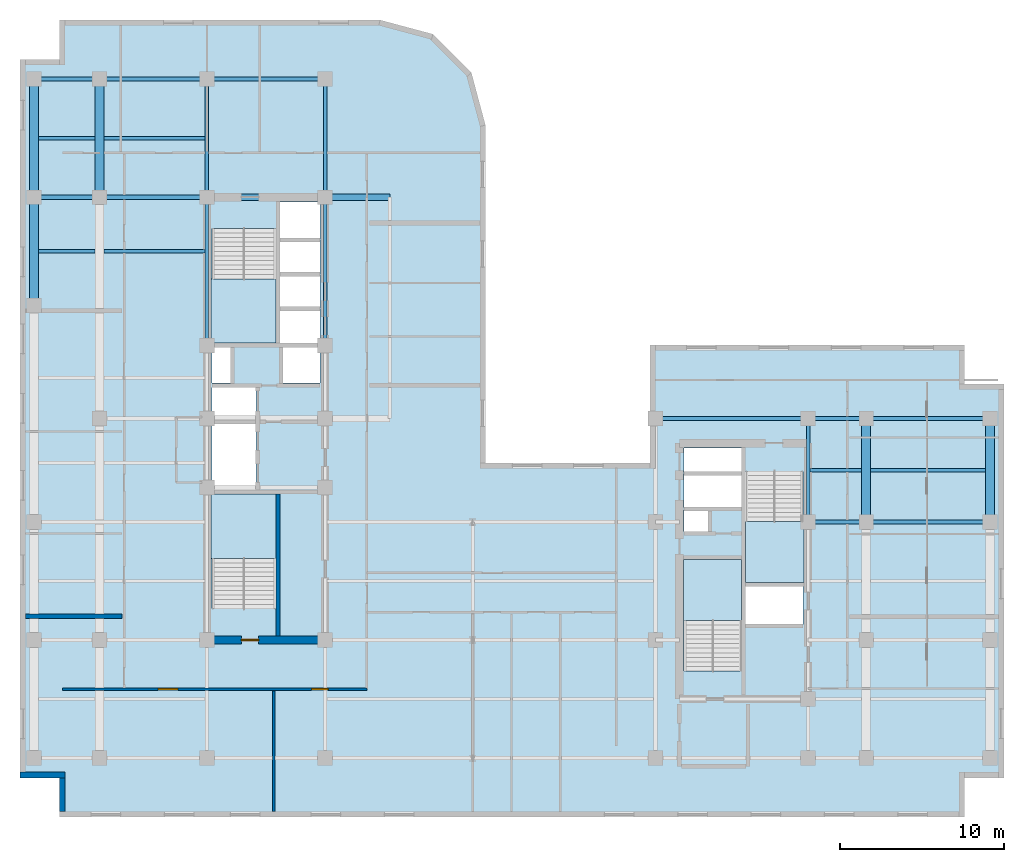
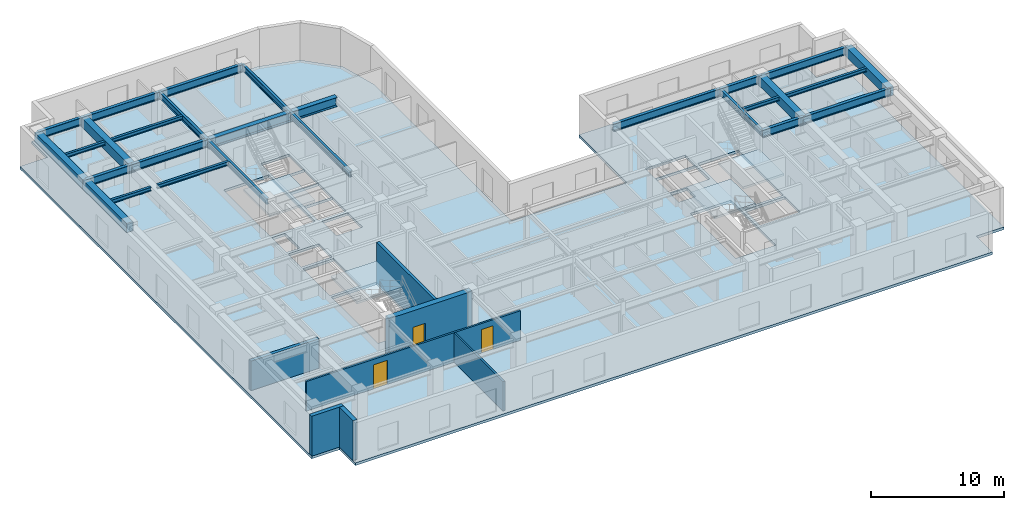
# One storey, part 3 of 11: 27 beams, 7 walls, 5 slabs, 3 doors, 3 openings, 4 elements without a shape of their own.
"""IFC4 building model written with IfcOpenShell, lengths in metres."""

import ifcopenshell
import ifcopenshell.guid

model = None  # the IFC model being written
_history = None  # IfcOwnerHistory: only IFC2X3 demands one
_inside = {}  # id of a spatial element -> (the spatial element, [elements in it])
_under = {}  # id of a project, library or spatial element -> (it, [spatial elements below it])
_declared = {}  # id of a project -> (the project, [libraries it declares])
_typed = {}  # id of a type object -> (the type object, [elements of that type])
_made_of = {}  # id of a material, layer set ... -> (it, [elements and type objects made of it])


def new_model(schema):
    """Start an empty IFC model of exactly this schema.

    Asked for "IFC4X3", IfcOpenShell would pick the latest addendum, in which some entities
    have other attributes; the version numbers below select the first issue.
    IFC2X3 requires an IfcOwnerHistory on every rooted entity: one is made here for all.
    """
    global model, _history
    if schema == "IFC4X3":
        model = ifcopenshell.file(schema_version=(4, 3, 0, 0))
    else:
        model = ifcopenshell.file(schema=schema)
    _inside.clear()
    _under.clear()
    _declared.clear()
    _typed.clear()
    _made_of.clear()
    _history = None
    if model.schema == "IFC2X3":
        org = make("IfcOrganization", Name="unknown")
        user = make(
            "IfcPersonAndOrganization",
            ThePerson=make("IfcPerson", FamilyName="unknown"),
            TheOrganization=org,
        )
        app = make(
            "IfcApplication",
            ApplicationDeveloper=org,
            Version="unknown",
            ApplicationFullName="unknown",
            ApplicationIdentifier="unknown",
        )
        _history = make(
            "IfcOwnerHistory",
            OwningUser=user,
            OwningApplication=app,
            ChangeAction="ADDED",
            CreationDate=0,
        )
    return model


def make(cls, **values):
    """One entity of the class cls with the attributes given. An attribute that is None is left unset."""
    return model.create_entity(
        cls, **{name: value for name, value in values.items() if value is not None}
    )


def entity(cls, *values):
    """Any entity or typed value of the class cls, its attributes in the order of the schema. None: left unset."""
    e = model.create_entity(cls)
    for i, value in enumerate(values):
        if value is not None:
            e[i] = value
    return e


def rooted(cls, **values):
    """An entity with a GlobalId (a new one), such as an element, a storey or a relation."""
    return make(cls, GlobalId=ifcopenshell.guid.new(), OwnerHistory=_history, **values)


def si_unit(unit_type, name, prefix=None):
    """IfcSIUnit, for example si_unit("LENGTHUNIT", "METRE", prefix="MILLI")."""
    return make("IfcSIUnit", UnitType=unit_type, Prefix=prefix, Name=name)


def converted_unit(unit_type, name, factor, base, dimensions=None, offset=None):
    """IfcConversionBasedUnit, such as the inch: factor (a typed value) times the base unit."""
    return make(
        "IfcConversionBasedUnit"
        if offset is None
        else "IfcConversionBasedUnitWithOffset",
        ConversionOffset=offset,
        Dimensions=None
        if dimensions is None
        else entity("IfcDimensionalExponents", *dimensions),
        UnitType=unit_type,
        Name=name,
        ConversionFactor=make(
            "IfcMeasureWithUnit", ValueComponent=factor, UnitComponent=base
        ),
    )


def assignment(units):
    """IfcUnitAssignment: the units of a project."""
    return None if units is None else make("IfcUnitAssignment", Units=units)


def point(xyz):
    """IfcCartesianPoint."""
    return None if xyz is None else make("IfcCartesianPoint", Coordinates=xyz)


def direction(xyz):
    """IfcDirection."""
    return None if xyz is None else make("IfcDirection", DirectionRatios=xyz)


def frame(location, z_axis=None, x_axis=None):
    """IfcAxis2Placement3D, a coordinate frame: its origin and axes. An axis left out is left unset."""
    return make(
        "IfcAxis2Placement3D",
        Location=point(location),
        Axis=direction(z_axis),
        RefDirection=direction(x_axis),
    )


def frame_2d(location, x_axis=None):
    """IfcAxis2Placement2D, a coordinate frame in the plane: its origin and x axis."""
    return make(
        "IfcAxis2Placement2D", Location=point(location), RefDirection=direction(x_axis)
    )


def origin_with_axes():
    """The frame at (0, 0, 0) with the z axis (0, 0, 1) and the x axis (1, 0, 0) written out."""
    return frame((0.0, 0.0, 0.0), z_axis=(0.0, 0.0, 1.0), x_axis=(1.0, 0.0, 0.0))


def origin_2d_with_axis():
    """The frame at (0, 0) in the plane with the x axis (1, 0) written out."""
    return frame_2d((0.0, 0.0), x_axis=(1.0, 0.0))


def place(relative_to, where):
    """IfcLocalPlacement: puts the frame where relative to a parent placement (None: the world)."""
    return make(
        "IfcLocalPlacement", PlacementRelTo=relative_to, RelativePlacement=where
    )


def context(
    kind, dimensions, precision=None, world=None, true_north=None, identifier=None
):
    """IfcGeometricRepresentationContext, for example the 3D "Model" context."""
    return make(
        "IfcGeometricRepresentationContext",
        ContextIdentifier=identifier,
        ContextType=kind,
        CoordinateSpaceDimension=dimensions,
        Precision=precision,
        WorldCoordinateSystem=world,
        TrueNorth=true_north,
    )


def subcontext(parent, identifier, kind, view, scale=None):
    """IfcGeometricRepresentationSubContext, for example "Body" below "Model"."""
    return make(
        "IfcGeometricRepresentationSubContext",
        ContextIdentifier=identifier,
        ContextType=kind,
        ParentContext=parent,
        TargetScale=scale,
        TargetView=view,
    )


def project(units=None, contexts=None):
    """IfcProject with its units and contexts."""
    return rooted(
        "IfcProject",
        Name="project",
        RepresentationContexts=contexts,
        UnitsInContext=assignment(units),
    )


def spatial(cls, under=None, at=None, **own):
    """A site, building, storey or space (cls), placed at a placement, below another one or the project."""
    s = rooted(cls, ObjectPlacement=at, **own)
    if under is not None:
        _under.setdefault(under.id(), (under, []))[1].append(s)
    return s


def polyline(points):
    """IfcPolyline through the points."""
    return make("IfcPolyline", Points=[point(p) for p in points])


def profile(cls, at=None, kind="AREA", **sizes):
    """A parametric profile (cls). Its sizes go by their IFC names, for example OverallWidth=200.0."""
    return make(cls, ProfileType=kind, Position=at, **sizes)


def rectangle(**sizes):
    """IfcRectangleProfileDef."""
    return profile("IfcRectangleProfileDef", **sizes)


def i_section(**sizes):
    """IfcIShapeProfileDef."""
    return profile("IfcIShapeProfileDef", **sizes)


def outline(outer, holes=None, kind="AREA"):
    """IfcArbitraryClosedProfileDef: a profile drawn as a closed curve; with holes, ...WithVoids."""
    if holes is None:
        return make("IfcArbitraryClosedProfileDef", ProfileType=kind, OuterCurve=outer)
    return make(
        "IfcArbitraryProfileDefWithVoids",
        ProfileType=kind,
        OuterCurve=outer,
        InnerCurves=holes,
    )


def extrude(swept, where, along, depth):
    """IfcExtrudedAreaSolid: the profile swept, set in the frame where, extruded along a direction by depth."""
    return make(
        "IfcExtrudedAreaSolid",
        SweptArea=swept,
        Position=where,
        ExtrudedDirection=direction(along),
        Depth=depth,
    )


def shape(context_of_items, identifier, shape_type, items):
    """IfcShapeRepresentation: the items that make up one representation, for example the "Body"."""
    return make(
        "IfcShapeRepresentation",
        ContextOfItems=context_of_items,
        RepresentationIdentifier=identifier,
        RepresentationType=shape_type,
        Items=items,
    )


def material(Name=None, Category=None):
    """IfcMaterial."""
    return make("IfcMaterial", Name=Name, Category=Category)


def layer(
    of_material, thickness, ventilated=None, Name=None, Category=None, Priority=None
):
    """IfcMaterialLayer: one layer of a wall or slab, of a material (None: an air gap)."""
    return make(
        "IfcMaterialLayer",
        Material=of_material,
        LayerThickness=thickness,
        IsVentilated=ventilated,
        Name=Name,
        Category=Category,
        Priority=Priority,
    )


def layer_set(layers, Name=None):
    """IfcMaterialLayerSet."""
    return make("IfcMaterialLayerSet", MaterialLayers=layers, LayerSetName=Name)


def material_profile(
    of_material, cross_section, Name=None, Category=None, Priority=None
):
    """IfcMaterialProfile: a cross section and its material."""
    return make(
        "IfcMaterialProfile",
        Name=Name,
        Material=of_material,
        Profile=cross_section,
        Priority=Priority,
        Category=Category,
    )


def profile_set(profiles, Name=None, composite=None):
    """IfcMaterialProfileSet."""
    return make(
        "IfcMaterialProfileSet",
        Name=Name,
        MaterialProfiles=profiles,
        CompositeProfile=composite,
    )


def made_of(thing, what):
    """Note that an element or type object is made of a material, layer set ...; save() writes the relation."""
    if what is not None:
        _made_of.setdefault(what.id(), (what, []))[1].append(thing)
    return thing


def type_object(cls, material=None, **own):
    """A type object (cls), such as IfcWallType, which elements share."""
    return made_of(rooted(cls, **own), material)


def element(
    cls,
    number,
    at=None,
    inside=None,
    cuts=None,
    type_object=None,
    material=None,
    context=None,
    identifier="Body",
    shape_type=None,
    held_by="IfcProductDefinitionShape",
    body=None,
    shapes=None,
    **own,
):
    """One element of the class cls, such as IfcWall. Its Tag is "e" and its number.

    at: its placement. inside: the storey or other place that contains it. cuts: it is an
    opening in that element (IfcRelVoidsElement). A single representation is given by context,
    identifier, shape_type and body (its items); several are given by shapes. held_by: the class
    of the entity that holds the representations. save() writes the other relations.
    """
    e = rooted(cls, Tag="e%d" % number, ObjectPlacement=at, **own)
    if body is not None:
        shapes = [shape(context, identifier, shape_type, body)]
    if shapes is not None:
        e.Representation = make(held_by, Representations=shapes)
    if inside is not None:
        _inside.setdefault(inside.id(), (inside, []))[1].append(e)
    if cuts is not None:
        rooted(
            "IfcRelVoidsElement", RelatingBuildingElement=cuts, RelatedOpeningElement=e
        )
    if type_object is not None:
        _typed.setdefault(type_object.id(), (type_object, []))[1].append(e)
    return made_of(e, material)


def fill(opening, filler):
    """IfcRelFillsElement: the door or window that sits in an opening."""
    return rooted(
        "IfcRelFillsElement",
        RelatingOpeningElement=opening,
        RelatedBuildingElement=filler,
    )


def aggregate(whole, parts):
    """IfcRelAggregates: a whole, such as a stair, and the parts it consists of."""
    return rooted("IfcRelAggregates", RelatingObject=whole, RelatedObjects=parts)


def save(model, path):
    """Write the relations noted so far, then the file.

    IfcRelAggregates (storeys below a building ...), IfcRelContainedInSpatialStructure (elements
    in a storey), IfcRelDefinesByType, IfcRelAssociatesMaterial and IfcRelDeclares: one each for
    every whole, place, type object, material and project.
    """
    for whole, parts in _under.values():
        aggregate(whole, parts)
    for where, things in _inside.values():
        rooted(
            "IfcRelContainedInSpatialStructure",
            RelatedElements=things,
            RelatingStructure=where,
        )
    for kind, things in _typed.values():
        rooted("IfcRelDefinesByType", RelatedObjects=things, RelatingType=kind)
    for what, things in _made_of.values():
        rooted("IfcRelAssociatesMaterial", RelatedObjects=things, RelatingMaterial=what)
    for by, libraries in _declared.values():
        rooted("IfcRelDeclares", RelatingContext=by, RelatedDefinitions=libraries)
    model.write(path)


model = new_model("IFC4")

# Units and contexts
model_context = context("Model", 3, precision=1e-05, world=origin_with_axes(), true_north=direction((0.0, 1.0)))
body_context = subcontext(model_context, "Body", "Model", "MODEL_VIEW")
ifc_project = project(units=[si_unit("LENGTHUNIT", "METRE"), si_unit("AREAUNIT", "SQUARE_METRE"), si_unit("VOLUMEUNIT", "CUBIC_METRE"), converted_unit("PLANEANGLEUNIT", "DEGREE", entity("IfcPlaneAngleMeasure", 0.017453292519943295), si_unit("PLANEANGLEUNIT", "RADIAN"), dimensions=[0, 0, 0, 0, 0, 0, 0]), si_unit("MASSUNIT", "GRAM", prefix="KILO"), si_unit("THERMODYNAMICTEMPERATUREUNIT", "KELVIN")], contexts=[model_context])

# Site, building, storey
site_placement = place(None, origin_with_axes())
site = spatial("IfcSite", under=ifc_project, at=site_placement, CompositionType="ELEMENT")
building_placement = place(site_placement, origin_with_axes())
building = spatial("IfcBuilding", under=site, at=building_placement, Name="Varnlund Millrace Tower", CompositionType="ELEMENT")
storey_placement = place(building_placement, frame((0.0, 0.0, 196.5), z_axis=(0.0, 0.0, 1.0), x_axis=(1.0, 0.0, 0.0)))
storey = spatial("IfcBuildingStorey", under=building, at=storey_placement, Name="L48", CompositionType="ELEMENT", Elevation=196.5)

# Beams
ifc_material_1 = material(Name="Steel ASTM A992 Grade 50", Category="steel")
ifc_material_profile_1 = material_profile(ifc_material_1, i_section(OverallWidth=0.214, OverallDepth=0.549, WebThickness=0.0147, FlangeThickness=0.0236, FilletRadius=0.015, at=origin_2d_with_axis()), Name="Steel ASTM A992 Grade 50")
ifc_profile_set_1 = profile_set([ifc_material_profile_1], Name="Steel ASTM A992 Grade 50")
beam_type_1 = type_object("IfcBeamType", Name="Type-Beam-W21X93", PredefinedType="BEAM", material=ifc_profile_set_1)
beam_1_placement = place(storey_placement, frame((11.4, 28.75, 3.3855), z_axis=(0.0, 1.0, 0.0), x_axis=(-1.0, 0.0, 0.0)))
element("IfcBeam", 1, at=beam_1_placement, inside=storey, type_object=beam_type_1, Name="Type-Beam-W21X93", PredefinedType="BEAM", context=body_context, shape_type="SweptSolid", body=[
    extrude(i_section(OverallWidth=0.214, OverallDepth=0.549, WebThickness=0.0147, FlangeThickness=0.0236, FilletRadius=0.015, at=origin_2d_with_axis()), origin_with_axes(), (0.0, 0.0, 1.0), 9.05),
])
beam_2_placement = place(storey_placement, frame((11.4, 37.8, 3.3855), z_axis=(0.0, 1.0, 0.0), x_axis=(-1.0, 0.0, 0.0)))
element("IfcBeam", 2, at=beam_2_placement, inside=storey, type_object=beam_type_1, Name="Type-Beam-W21X93", PredefinedType="BEAM", context=body_context, shape_type="SweptSolid", body=[
    extrude(i_section(OverallWidth=0.214, OverallDepth=0.549, WebThickness=0.0147, FlangeThickness=0.0236, FilletRadius=0.015, at=origin_2d_with_axis()), origin_with_axes(), (0.0, 0.0, 1.0), 7.2),
])
beam_3_placement = place(storey_placement, frame((18.6, 28.75, 3.3855), z_axis=(0.0, 1.0, 0.0), x_axis=(-1.0, 0.0, 0.0)))
element("IfcBeam", 3, at=beam_3_placement, inside=storey, type_object=beam_type_1, Name="Type-Beam-W21X93", PredefinedType="BEAM", context=body_context, shape_type="SweptSolid", body=[
    extrude(i_section(OverallWidth=0.214, OverallDepth=0.549, WebThickness=0.0147, FlangeThickness=0.0236, FilletRadius=0.015, at=origin_2d_with_axis()), origin_with_axes(), (0.0, 0.0, 1.0), 9.05),
])
beam_4_placement = place(storey_placement, frame((18.6, 37.8, 3.3855), z_axis=(0.0, 1.0, 0.0), x_axis=(-1.0, 0.0, 0.0)))
element("IfcBeam", 4, at=beam_4_placement, inside=storey, type_object=beam_type_1, Name="Type-Beam-W21X93", PredefinedType="BEAM", context=body_context, shape_type="SweptSolid", body=[
    extrude(i_section(OverallWidth=0.214, OverallDepth=0.549, WebThickness=0.0147, FlangeThickness=0.0236, FilletRadius=0.015, at=origin_2d_with_axis()), origin_with_axes(), (0.0, 0.0, 1.0), 7.2),
])
beam_5_placement = place(storey_placement, frame((48.05, 18.0, 3.3855), z_axis=(0.0, 1.0, 0.0), x_axis=(-1.0, 0.0, 0.0)))
element("IfcBeam", 5, at=beam_5_placement, inside=storey, type_object=beam_type_1, Name="Type-Beam-W21X93", PredefinedType="BEAM", context=body_context, shape_type="SweptSolid", body=[
    extrude(i_section(OverallWidth=0.214, OverallDepth=0.549, WebThickness=0.0147, FlangeThickness=0.0236, FilletRadius=0.015, at=origin_2d_with_axis()), origin_with_axes(), (0.0, 0.0, 1.0), 6.3),
])
ifc_material_profile_2 = material_profile(ifc_material_1, i_section(OverallWidth=0.256, OverallDepth=0.693, WebThickness=0.0145, FlangeThickness=0.0236, FilletRadius=0.018, at=origin_2d_with_axis()), Name="Steel ASTM A992 Grade 50")
ifc_profile_set_2 = profile_set([ifc_material_profile_2], Name="Steel ASTM A992 Grade 50")
beam_type_2 = type_object("IfcBeamType", Name="Type-Girder-W27X114", PredefinedType="USERDEFINED", material=ifc_profile_set_2)
beam_6_placement = place(storey_placement, frame((48.05, 18.0, 3.3135), z_axis=(1.0, 0.0, 0.0), x_axis=(0.0, 1.0, 0.0)))
element("IfcBeam", 6, at=beam_6_placement, inside=storey, type_object=beam_type_2, Name="Type-Girder-W27X114", ObjectType="GIRDER", PredefinedType="USERDEFINED", context=body_context, shape_type="SweptSolid", body=[
    extrude(i_section(OverallWidth=0.256, OverallDepth=0.693, WebThickness=0.0145, FlangeThickness=0.0236, FilletRadius=0.018, at=origin_2d_with_axis()), origin_with_axes(), (0.0, 0.0, 1.0), 3.55),
])
beam_7_placement = place(storey_placement, frame((51.6, 18.0, 3.3135), z_axis=(1.0, 0.0, 0.0), x_axis=(0.0, 1.0, 0.0)))
element("IfcBeam", 7, at=beam_7_placement, inside=storey, type_object=beam_type_2, Name="Type-Girder-W27X114", ObjectType="GIRDER", PredefinedType="USERDEFINED", context=body_context, shape_type="SweptSolid", body=[
    extrude(i_section(OverallWidth=0.256, OverallDepth=0.693, WebThickness=0.0145, FlangeThickness=0.0236, FilletRadius=0.018, at=origin_2d_with_axis()), origin_with_axes(), (0.0, 0.0, 1.0), 7.55),
])
beam_8_placement = place(storey_placement, frame((38.75, 24.3, 3.3135), z_axis=(1.0, 0.0, 0.0), x_axis=(0.0, 1.0, 0.0)))
element("IfcBeam", 8, at=beam_8_placement, inside=storey, type_object=beam_type_2, Name="Type-Girder-W27X114", ObjectType="GIRDER", PredefinedType="USERDEFINED", context=body_context, shape_type="SweptSolid", body=[
    extrude(i_section(OverallWidth=0.256, OverallDepth=0.693, WebThickness=0.0145, FlangeThickness=0.0236, FilletRadius=0.018, at=origin_2d_with_axis()), origin_with_axes(), (0.0, 0.0, 1.0), 9.3),
])
beam_9_placement = place(storey_placement, frame((48.05, 24.3, 3.3135), z_axis=(1.0, 0.0, 0.0), x_axis=(0.0, 1.0, 0.0)))
element("IfcBeam", 9, at=beam_9_placement, inside=storey, type_object=beam_type_2, Name="Type-Girder-W27X114", ObjectType="GIRDER", PredefinedType="USERDEFINED", context=body_context, shape_type="SweptSolid", body=[
    extrude(i_section(OverallWidth=0.256, OverallDepth=0.693, WebThickness=0.0145, FlangeThickness=0.0236, FilletRadius=0.018, at=origin_2d_with_axis()), origin_with_axes(), (0.0, 0.0, 1.0), 3.55),
])
beam_10_placement = place(storey_placement, frame((51.6, 24.3, 3.3135), z_axis=(1.0, 0.0, 0.0), x_axis=(0.0, 1.0, 0.0)))
element("IfcBeam", 10, at=beam_10_placement, inside=storey, type_object=beam_type_2, Name="Type-Girder-W27X114", ObjectType="GIRDER", PredefinedType="USERDEFINED", context=body_context, shape_type="SweptSolid", body=[
    extrude(i_section(OverallWidth=0.256, OverallDepth=0.693, WebThickness=0.0145, FlangeThickness=0.0236, FilletRadius=0.018, at=origin_2d_with_axis()), origin_with_axes(), (0.0, 0.0, 1.0), 7.55),
])
beam_11_placement = place(storey_placement, frame((0.85, 37.8, 3.3135), z_axis=(1.0, 0.0, 0.0), x_axis=(0.0, 1.0, 0.0)))
element("IfcBeam", 11, at=beam_11_placement, inside=storey, type_object=beam_type_2, Name="Type-Girder-W27X114", ObjectType="GIRDER", PredefinedType="USERDEFINED", context=body_context, shape_type="SweptSolid", body=[
    extrude(i_section(OverallWidth=0.256, OverallDepth=0.693, WebThickness=0.0145, FlangeThickness=0.0236, FilletRadius=0.018, at=origin_2d_with_axis()), origin_with_axes(), (0.0, 0.0, 1.0), 4.0),
])
beam_12_placement = place(storey_placement, frame((4.85, 37.8, 3.3135), z_axis=(1.0, 0.0, 0.0), x_axis=(0.0, 1.0, 0.0)))
element("IfcBeam", 12, at=beam_12_placement, inside=storey, type_object=beam_type_2, Name="Type-Girder-W27X114", ObjectType="GIRDER", PredefinedType="USERDEFINED", context=body_context, shape_type="SweptSolid", body=[
    extrude(i_section(OverallWidth=0.256, OverallDepth=0.693, WebThickness=0.0145, FlangeThickness=0.0236, FilletRadius=0.018, at=origin_2d_with_axis()), origin_with_axes(), (0.0, 0.0, 1.0), 6.55),
])
beam_13_placement = place(storey_placement, frame((0.85, 45.0, 3.3135), z_axis=(1.0, 0.0, 0.0), x_axis=(0.0, 1.0, 0.0)))
element("IfcBeam", 13, at=beam_13_placement, inside=storey, type_object=beam_type_2, Name="Type-Girder-W27X114", ObjectType="GIRDER", PredefinedType="USERDEFINED", context=body_context, shape_type="SweptSolid", body=[
    extrude(i_section(OverallWidth=0.256, OverallDepth=0.693, WebThickness=0.0145, FlangeThickness=0.0236, FilletRadius=0.018, at=origin_2d_with_axis()), origin_with_axes(), (0.0, 0.0, 1.0), 4.0),
])
beam_14_placement = place(storey_placement, frame((4.85, 45.0, 3.3135), z_axis=(1.0, 0.0, 0.0), x_axis=(0.0, 1.0, 0.0)))
element("IfcBeam", 14, at=beam_14_placement, inside=storey, type_object=beam_type_2, Name="Type-Girder-W27X114", ObjectType="GIRDER", PredefinedType="USERDEFINED", context=body_context, shape_type="SweptSolid", body=[
    extrude(i_section(OverallWidth=0.256, OverallDepth=0.693, WebThickness=0.0145, FlangeThickness=0.0236, FilletRadius=0.018, at=origin_2d_with_axis()), origin_with_axes(), (0.0, 0.0, 1.0), 6.55),
])
beam_15_placement = place(storey_placement, frame((11.4, 45.0, 3.3135), z_axis=(1.0, 0.0, 0.0), x_axis=(0.0, 1.0, 0.0)))
element("IfcBeam", 15, at=beam_15_placement, inside=storey, type_object=beam_type_2, Name="Type-Girder-W27X114", ObjectType="GIRDER", PredefinedType="USERDEFINED", context=body_context, shape_type="SweptSolid", body=[
    extrude(i_section(OverallWidth=0.256, OverallDepth=0.693, WebThickness=0.0145, FlangeThickness=0.0236, FilletRadius=0.018, at=origin_2d_with_axis()), origin_with_axes(), (0.0, 0.0, 1.0), 7.2),
])
ifc_material_profile_3 = material_profile(ifc_material_1, i_section(OverallWidth=0.399, OverallDepth=0.855, WebThickness=0.0182, FlangeThickness=0.0292, FilletRadius=0.022, at=origin_2d_with_axis()), Name="Steel ASTM A992 Grade 50")
ifc_profile_set_3 = profile_set([ifc_material_profile_3], Name="Steel ASTM A992 Grade 50")
beam_type_3 = type_object("IfcBeamType", Name="Type-Girder-W33X201", PredefinedType="USERDEFINED", material=ifc_profile_set_3)
beam_16_placement = place(storey_placement, frame((11.4, 37.8, 3.2325), z_axis=(1.0, 0.0, 0.0), x_axis=(0.0, 1.0, 0.0)))
element("IfcBeam", 16, at=beam_16_placement, inside=storey, type_object=beam_type_3, Name="Type-Girder-W33X201", ObjectType="GIRDER", PredefinedType="USERDEFINED", context=body_context, shape_type="SweptSolid", body=[
    extrude(i_section(OverallWidth=0.399, OverallDepth=0.855, WebThickness=0.0182, FlangeThickness=0.0292, FilletRadius=0.022, at=origin_2d_with_axis()), origin_with_axes(), (0.0, 0.0, 1.0), 11.15),
])
ifc_material_profile_4 = material_profile(ifc_material_1, i_section(OverallWidth=0.204, OverallDepth=0.35, WebThickness=0.0086, FlangeThickness=0.0151, FilletRadius=0.013, at=origin_2d_with_axis()), Name="Steel ASTM A992 Grade 50")
ifc_profile_set_4 = profile_set([ifc_material_profile_4], Name="Steel ASTM A992 Grade 50")
beam_type_4 = type_object("IfcBeamType", Name="Type-Joist-W14X48", PredefinedType="JOIST", material=ifc_profile_set_4)
for number, where, z_axis, x_axis, name in (
    (17, (1.125, 34.5, 3.485), (1.0, 0.0, 0.0), (0.0, 1.0, 0.0), "Type-Joist-W14X48"),
    (18, (1.125, 41.4, 3.485), (1.0, 0.0, 0.0), (0.0, 1.0, 0.0), "Type-Joist-W14X48"),
):
    element("IfcBeam", number, at=place(storey_placement, frame(where, z_axis=z_axis, x_axis=x_axis)), inside=storey, type_object=beam_type_4, Name=name, PredefinedType="JOIST", context=body_context, shape_type="SweptSolid", body=[
        extrude(i_section(OverallWidth=0.204, OverallDepth=0.35, WebThickness=0.0086, FlangeThickness=0.0151, FilletRadius=0.013, at=origin_2d_with_axis()), origin_with_axes(), (0.0, 0.0, 1.0), 3.45),
    ])
for number, where, z_axis, x_axis, name in (
    (19, (5.125, 34.5, 3.485), (1.0, 0.0, 0.0), (0.0, 1.0, 0.0), "Type-Joist-W14X48"),
    (20, (5.125, 41.4, 3.485), (1.0, 0.0, 0.0), (0.0, 1.0, 0.0), "Type-Joist-W14X48"),
):
    element("IfcBeam", number, at=place(storey_placement, frame(where, z_axis=z_axis, x_axis=x_axis)), inside=storey, type_object=beam_type_4, Name=name, PredefinedType="JOIST", context=body_context, shape_type="SweptSolid", body=[
        extrude(i_section(OverallWidth=0.204, OverallDepth=0.35, WebThickness=0.0086, FlangeThickness=0.0151, FilletRadius=0.013, at=origin_2d_with_axis()), origin_with_axes(), (0.0, 0.0, 1.0), 6.168),
    ])
beam_17_placement = place(storey_placement, frame((48.157, 21.15, 3.485), z_axis=(1.0, 0.0, 0.0), x_axis=(0.0, 1.0, 0.0)))
element("IfcBeam", 21, at=beam_17_placement, inside=storey, type_object=beam_type_4, Name="Type-Joist-W14X48", PredefinedType="JOIST", context=body_context, shape_type="SweptSolid", body=[
    extrude(i_section(OverallWidth=0.204, OverallDepth=0.35, WebThickness=0.0086, FlangeThickness=0.0151, FilletRadius=0.013, at=origin_2d_with_axis()), origin_with_axes(), (0.0, 0.0, 1.0), 3.168),
])
beam_18_placement = place(storey_placement, frame((51.875, 21.15, 3.485), z_axis=(1.0, 0.0, 0.0), x_axis=(0.0, 1.0, 0.0)))
element("IfcBeam", 22, at=beam_18_placement, inside=storey, type_object=beam_type_4, Name="Type-Joist-W14X48", PredefinedType="JOIST", context=body_context, shape_type="SweptSolid", body=[
    extrude(i_section(OverallWidth=0.204, OverallDepth=0.35, WebThickness=0.0086, FlangeThickness=0.0151, FilletRadius=0.013, at=origin_2d_with_axis()), origin_with_axes(), (0.0, 0.0, 1.0), 7.0),
])
ifc_material_2 = material(Name="Concrete C60/75", Category="concrete")
ifc_material_profile_5 = material_profile(ifc_material_2, rectangle(XDim=0.55, YDim=0.85, at=origin_2d_with_axis()), Name="Concrete C60/75")
ifc_profile_set_5 = profile_set([ifc_material_profile_5], Name="Concrete C60/75")
beam_type_5 = type_object("IfcBeamType", Name="Type-Spandrel-RC550X850", PredefinedType="SPANDREL", material=ifc_profile_set_5)
beam_19_placement = place(storey_placement, frame((0.85, 31.2, 3.235), z_axis=(0.0, 1.0, 0.0), x_axis=(-1.0, 0.0, 0.0)))
element("IfcBeam", 23, at=beam_19_placement, inside=storey, type_object=beam_type_5, Name="Type-Spandrel-RC550X850", PredefinedType="SPANDREL", context=body_context, shape_type="SweptSolid", body=[
    extrude(rectangle(XDim=0.55, YDim=0.85, at=origin_2d_with_axis()), origin_with_axes(), (0.0, 0.0, 1.0), 6.6),
])
for number, where, z_axis, x_axis, name in (
    (24, (0.85, 37.8, 3.235), (0.0, 1.0, 0.0), (-1.0, 0.0, 0.0), "Type-Spandrel-RC550X850"),
    (25, (4.85, 37.8, 3.235), (0.0, 1.0, 0.0), (-1.0, 0.0, 0.0), "Type-Spandrel-RC550X850"),
):
    element("IfcBeam", number, at=place(storey_placement, frame(where, z_axis=z_axis, x_axis=x_axis)), inside=storey, type_object=beam_type_5, Name=name, PredefinedType="SPANDREL", context=body_context, shape_type="SweptSolid", body=[
        extrude(rectangle(XDim=0.55, YDim=0.85, at=origin_2d_with_axis()), origin_with_axes(), (0.0, 0.0, 1.0), 7.2),
    ])
for number, where, z_axis, x_axis, name in (
    (26, (51.6, 18.0, 3.235), (0.0, 1.0, 0.0), (-1.0, 0.0, 0.0), "Type-Spandrel-RC550X850"),
    (27, (59.15, 18.0, 3.235), (0.0, 1.0, 0.0), (-1.0, 0.0, 0.0), "Type-Spandrel-RC550X850"),
):
    element("IfcBeam", number, at=place(storey_placement, frame(where, z_axis=z_axis, x_axis=x_axis)), inside=storey, type_object=beam_type_5, Name=name, PredefinedType="SPANDREL", context=body_context, shape_type="SweptSolid", body=[
        extrude(rectangle(XDim=0.55, YDim=0.85, at=origin_2d_with_axis()), origin_with_axes(), (0.0, 0.0, 1.0), 6.3),
    ])

# Slab
ifc_layer_1 = layer(ifc_material_2, 0.24, Name="Concrete C60/75")
ifc_layer_set_1 = layer_set([ifc_layer_1], Name="Concrete C60/75")
slab_type_1 = type_object("IfcSlabType", Name="Type-Deck-Plate-Typical-240", PredefinedType="FLOOR", material=ifc_layer_set_1)
slab_1_placement = place(storey_placement, frame((0.0, 0.0, -0.24), z_axis=(0.0, 0.0, 1.0), x_axis=(1.0, 0.0, 0.0)))
element("IfcSlab", 28, at=slab_1_placement, inside=storey, type_object=slab_type_1, Name="Type-Deck-Plate-Typical-240", PredefinedType="FLOOR", context=body_context, shape_type="SweptSolid", body=[
    extrude(outline(polyline([(28.379, 21.6), (28.379, 42.2), (27.522, 45.4), (25.179, 47.743), (21.979, 48.6), (2.4, 48.6), (2.4, 46.2), (0.0, 46.2), (0.0, 2.4), (2.4, 2.4), (2.4, 0.0), (57.6, 0.0), (57.6, 2.4), (60.0, 2.4), (60.0, 26.4), (57.6, 26.4), (57.6, 28.8), (38.4, 28.8), (38.4, 21.6), (28.379, 21.6)]), holes=[polyline([(15.6, 12.715), (11.7, 12.715), (11.7, 19.7), (15.6, 19.7), (15.6, 12.715)]), polyline([(14.38, 23.98), (14.38, 19.94), (11.7, 19.94), (11.7, 23.98), (14.38, 23.98)]), polyline([(14.38, 24.24), (11.7, 24.24), (11.7, 26.2), (14.38, 26.2), (14.38, 24.24)]), polyline([(12.84, 26.46), (11.7, 26.46), (11.7, 28.65), (12.84, 28.65), (12.84, 26.46)]), polyline([(18.3, 28.9), (15.84, 28.9), (15.84, 30.98), (18.3, 30.98), (18.3, 28.9)]), polyline([(18.3, 31.02), (15.84, 31.02), (15.84, 33.08), (18.3, 33.08), (18.3, 31.02)]), polyline([(15.6, 28.9), (11.7, 28.9), (11.7, 35.885), (15.6, 35.885), (15.6, 28.9)]), polyline([(18.3, 33.12), (15.84, 33.12), (15.84, 35.18), (18.3, 35.18), (18.3, 33.12)]), polyline([(44.0, 8.915), (40.5, 8.915), (40.5, 15.7), (44.0, 15.7), (44.0, 8.915)]), polyline([(47.75, 11.74), (44.25, 11.74), (44.25, 14.06), (47.75, 14.06), (47.75, 11.74)]), polyline([(47.75, 14.3), (44.25, 14.3), (44.25, 21.085), (47.75, 21.085), (47.75, 14.3)]), polyline([(41.95, 17.42), (40.5, 17.42), (40.5, 18.72), (41.95, 18.72), (41.95, 17.42)]), polyline([(44.0, 18.88), (40.5, 18.88), (40.5, 20.94), (44.0, 20.94), (44.0, 18.88)]), polyline([(44.0, 21.0), (40.5, 21.0), (40.5, 22.5), (44.0, 22.5), (44.0, 21.0)]), polyline([(16.04, 26.46), (16.04, 28.65), (18.3, 28.65), (18.3, 26.46), (16.04, 26.46)]), polyline([(15.84, 35.22), (15.84, 37.5), (18.3, 37.5), (18.3, 35.22), (15.84, 35.22)])]), origin_with_axes(), (0.0, 0.0, 1.0), 0.24),
])

# Stair, slab
ifc_material_3 = material(Name="Concrete C50/60", Category="concrete")
stair_type_1 = type_object("IfcStairType", Name="Type-Stair-Dogleg-185-390", PredefinedType="HALF_TURN_STAIR", material=ifc_material_3)
stair_1_placement = place(storey_placement, origin_with_axes())
stair_1 = element("IfcStair", 29, at=stair_1_placement, inside=storey, type_object=stair_type_1, Name="Type-Stair-Dogleg-185-390", PredefinedType="HALF_TURN_STAIR")
ifc_layer_2 = layer(ifc_material_3, 0.2, Name="Concrete C50/60")
ifc_layer_set_2 = layer_set([ifc_layer_2], Name="Concrete C50/60")
slab_type_2 = type_object("IfcSlabType", Name="Type-StairLanding-200", PredefinedType="LANDING", material=ifc_layer_set_2)
slab_2_placement = place(storey_placement, frame((0.0, 0.0, 1.75), z_axis=(0.0, 0.0, 1.0), x_axis=(1.0, 0.0, 0.0)))
slab_2 = element("IfcSlab", 30, at=slab_2_placement, type_object=slab_type_2, Name="ST-A1 landing 1", PredefinedType="LANDING", context=body_context, shape_type="SweptSolid", body=[
    extrude(outline(polyline([(15.6, 15.78), (15.6, 19.7), (11.65, 19.7), (11.65, 15.78), (15.6, 15.78)])), origin_with_axes(), (0.0, 0.0, 1.0), 0.2),
])
aggregate(stair_1, [slab_2])

stair_2_placement = place(storey_placement, origin_with_axes())
stair_2 = element("IfcStair", 31, at=stair_2_placement, inside=storey, type_object=stair_type_1, Name="Type-Stair-Dogleg-185-390", PredefinedType="HALF_TURN_STAIR")
slab_3_placement = place(storey_placement, frame((0.0, 0.0, 1.75), z_axis=(0.0, 0.0, 1.0), x_axis=(1.0, 0.0, 0.0)))
slab_3 = element("IfcSlab", 32, at=slab_3_placement, type_object=slab_type_2, Name="ST-A2 landing 1", PredefinedType="LANDING", context=body_context, shape_type="SweptSolid", body=[
    extrude(outline(polyline([(11.65, 32.82), (11.65, 28.9), (15.6, 28.9), (15.6, 32.82), (11.65, 32.82)])), origin_with_axes(), (0.0, 0.0, 1.0), 0.2),
])
aggregate(stair_2, [slab_3])

stair_type_2 = type_object("IfcStairType", Name="Type-Stair-Dogleg-165-390", PredefinedType="HALF_TURN_STAIR", material=ifc_material_3)
stair_3_placement = place(storey_placement, origin_with_axes())
stair_3 = element("IfcStair", 33, at=stair_3_placement, inside=storey, type_object=stair_type_2, Name="Type-Stair-Dogleg-165-390", PredefinedType="HALF_TURN_STAIR")
slab_4_placement = place(storey_placement, frame((0.0, 0.0, 1.75), z_axis=(0.0, 0.0, 1.0), x_axis=(1.0, 0.0, 0.0)))
slab_4 = element("IfcSlab", 34, at=slab_4_placement, type_object=slab_type_2, Name="ST-B1 landing 1", PredefinedType="LANDING", context=body_context, shape_type="SweptSolid", body=[
    extrude(outline(polyline([(44.0, 11.98), (44.0, 15.7), (40.45, 15.7), (40.45, 11.98), (44.0, 11.98)])), origin_with_axes(), (0.0, 0.0, 1.0), 0.2),
])
aggregate(stair_3, [slab_4])

stair_4_placement = place(storey_placement, origin_with_axes())
stair_4 = element("IfcStair", 35, at=stair_4_placement, inside=storey, type_object=stair_type_2, Name="Type-Stair-Dogleg-165-390", PredefinedType="HALF_TURN_STAIR")
slab_5_placement = place(storey_placement, frame((0.0, 0.0, 1.75), z_axis=(0.0, 0.0, 1.0), x_axis=(1.0, 0.0, 0.0)))
slab_5 = element("IfcSlab", 36, at=slab_5_placement, type_object=slab_type_2, Name="ST-B2 landing 1", PredefinedType="LANDING", context=body_context, shape_type="SweptSolid", body=[
    extrude(outline(polyline([(44.25, 18.02), (44.25, 14.3), (47.8, 14.3), (47.8, 18.02), (44.25, 18.02)])), origin_with_axes(), (0.0, 0.0, 1.0), 0.2),
])
aggregate(stair_4, [slab_5])

# Wall, opening, door
ifc_material_4 = material(Name="Concrete C70/85", Category="concrete")
ifc_layer_3 = layer(ifc_material_4, 0.5, Name="Concrete C70/85")
ifc_layer_set_3 = layer_set([ifc_layer_3], Name="Concrete C70/85")
wall_type_1 = type_object("IfcWallType", Name="Type-CoreWall-Shear-500-C70", PredefinedType="SHEAR", material=ifc_layer_set_3)
wall_1_placement = place(storey_placement, frame((11.4, 10.8, 0.0), z_axis=(0.0, 0.0, 1.0), x_axis=(1.0, 0.0, 0.0)))
wall_1 = element("IfcWall", 37, at=wall_1_placement, inside=storey, type_object=wall_type_1, Name="Type-CoreWall-Shear-500-C70", PredefinedType="SHEAR", context=body_context, shape_type="SweptSolid", body=[
    extrude(outline(polyline([(0.0, -0.25), (7.2, -0.25), (7.2, 0.25), (0.0, 0.25), (0.0, -0.25)])), origin_with_axes(), (0.0, 0.0, 1.0), 3.66),
])
opening_1_placement = place(wall_1_placement, frame((2.625, 0.0, 0.0), z_axis=(0.0, 0.0, 1.0), x_axis=(1.0, 0.0, 0.0)))
opening_1 = element("IfcOpeningElement", 38, at=opening_1_placement, cuts=wall_1, Name="Opening L48:DR-STA1", PredefinedType="OPENING", context=body_context, shape_type="SweptSolid", body=[
    extrude(rectangle(XDim=1.05, YDim=0.52, at=origin_2d_with_axis()), origin_with_axes(), (0.0, 0.0, 1.0), 2.15),
])
ifc_material_5 = material(Name="Fire-rated hollow steel door", Category="steel")
door_type_1 = type_object("IfcDoorType", Name="Type-FireDoor-Stair-1050X2150", OperationType="NOTDEFINED", PredefinedType="DOOR", material=ifc_material_5)
door_1_placement = place(wall_1_placement, frame((2.625, 0.0, 0.0), z_axis=(0.0, 0.0, 1.0), x_axis=(1.0, 0.0, 0.0)))
door_1 = element("IfcDoor", 39, at=door_1_placement, inside=storey, type_object=door_type_1, Name="Type-FireDoor-Stair-1050X2150", OperationType="SINGLE_SWING_LEFT", OverallHeight=2.15, OverallWidth=1.05, PredefinedType="DOOR", context=body_context, shape_type="SweptSolid", body=[
    extrude(rectangle(XDim=1.05, YDim=0.09, at=origin_2d_with_axis()), origin_with_axes(), (0.0, 0.0, 1.0), 2.15),
])
fill(opening_1, door_1)

# Walls
ifc_material_6 = material(Name="Precast concrete C50/60", Category="concrete")
ifc_layer_4 = layer(ifc_material_6, 0.34, Name="Precast concrete C50/60")
ifc_layer_set_4 = layer_set([ifc_layer_4], Name="Precast concrete C50/60")
wall_type_2 = type_object("IfcWallType", Name="Type-ExtWall-Precast-Upper-340", PredefinedType="SOLIDWALL", material=ifc_layer_set_4)
wall_2_placement = place(storey_placement, frame((2.57, 0.34, 0.0), z_axis=(0.0, 0.0, 1.0), x_axis=(0.0, 1.0, 0.0)))
element("IfcWall", 40, at=wall_2_placement, inside=storey, type_object=wall_type_2, Name="Type-ExtWall-Precast-Upper-340", PredefinedType="SOLIDWALL", context=body_context, shape_type="SweptSolid", body=[
    extrude(outline(polyline([(0.0, -0.17), (2.06, -0.17), (2.06, 0.17), (0.0, 0.17), (0.0, -0.17)])), origin_with_axes(), (0.0, 0.0, 1.0), 3.66),
])
wall_3_placement = place(storey_placement, frame((2.74, 2.57, 0.0), z_axis=(0.0, 0.0, 1.0), x_axis=(-1.0, 0.0, 0.0)))
element("IfcWall", 41, at=wall_3_placement, inside=storey, type_object=wall_type_2, Name="Type-ExtWall-Precast-Upper-340", PredefinedType="SOLIDWALL", context=body_context, shape_type="SweptSolid", body=[
    extrude(outline(polyline([(0.0, -0.17), (2.74, -0.17), (2.74, 0.17), (0.0, 0.17), (0.0, -0.17)])), origin_with_axes(), (0.0, 0.0, 1.0), 3.66),
])
ifc_material_7 = material(Name="Double-stud STC-60 conference acoustic partition", Category="gypsum")
ifc_layer_5 = layer(ifc_material_7, 0.28, Name="Double-stud STC-60 conference acoustic partition")
ifc_layer_set_5 = layer_set([ifc_layer_5], Name="Double-stud STC-60 conference acoustic partition")
wall_type_3 = type_object("IfcWallType", Name="Type-Partition-Acoustic-280", PredefinedType="PARTITIONING", material=ifc_layer_set_5)
wall_4_placement = place(storey_placement, frame((0.335, 12.247, 0.0), z_axis=(0.0, 0.0, 1.0), x_axis=(1.0, 0.0, 0.0)))
element("IfcWall", 42, at=wall_4_placement, inside=storey, type_object=wall_type_3, Name="Type-Partition-Acoustic-280", PredefinedType="PARTITIONING", context=body_context, shape_type="SweptSolid", body=[
    extrude(outline(polyline([(0.0, -0.14), (5.895, -0.14), (5.895, 0.14), (0.0, 0.14), (0.0, -0.14)])), origin_with_axes(), (0.0, 0.0, 1.0), 2.7),
])

# Wall, openings, doors
ifc_material_8 = material(Name="Fire-rated gypsum board on cold-formed steel framing", Category="steel")
ifc_layer_6 = layer(ifc_material_8, 0.16, Name="Fire-rated gypsum board on cold-formed steel framing")
ifc_layer_set_6 = layer_set([ifc_layer_6], Name="Fire-rated gypsum board on cold-formed steel framing")
wall_type_4 = type_object("IfcWallType", Name="Type-Partition-Corridor-160", PredefinedType="PARTITIONING", material=ifc_layer_set_6)
wall_5_placement = place(storey_placement, frame((2.6, 7.8, 0.0), z_axis=(0.0, 0.0, 1.0), x_axis=(1.0, 0.0, 0.0)))
wall_5 = element("IfcWall", 43, at=wall_5_placement, inside=storey, type_object=wall_type_4, Name="Type-Partition-Corridor-160", PredefinedType="PARTITIONING", context=body_context, shape_type="SweptSolid", body=[
    extrude(outline(polyline([(0.0, -0.08), (18.55, -0.08), (18.55, 0.08), (0.0, 0.08), (0.0, -0.08)])), origin_with_axes(), (0.0, 0.0, 1.0), 2.7),
])
opening_2_placement = place(wall_5_placement, frame((6.4265, 0.0, 0.0), z_axis=(0.0, 0.0, 1.0), x_axis=(1.0, 0.0, 0.0)))
opening_2 = element("IfcOpeningElement", 44, at=opening_2_placement, cuts=wall_5, Name="Opening L48:DR-WAS-01", PredefinedType="OPENING", context=body_context, shape_type="SweptSolid", body=[
    extrude(rectangle(XDim=1.2, YDim=0.18, at=origin_2d_with_axis()), origin_with_axes(), (0.0, 0.0, 1.0), 2.2),
])
opening_3_placement = place(wall_5_placement, frame((15.6815, 0.0, 0.0), z_axis=(0.0, 0.0, 1.0), x_axis=(1.0, 0.0, 0.0)))
opening_3 = element("IfcOpeningElement", 45, at=opening_3_placement, cuts=wall_5, Name="Opening L48:DR-WAS-02", PredefinedType="OPENING", context=body_context, shape_type="SweptSolid", body=[
    extrude(rectangle(XDim=1.0, YDim=0.18, at=origin_2d_with_axis()), origin_with_axes(), (0.0, 0.0, 1.0), 2.15),
])
ifc_material_9 = material(Name="Wide executive white oak acoustic door")
door_type_2 = type_object("IfcDoorType", Name="Type-IntDoor-Exec-1200X2200", OperationType="NOTDEFINED", PredefinedType="DOOR", material=ifc_material_9)
door_2_placement = place(wall_5_placement, frame((6.4265, 0.0, 0.0), z_axis=(0.0, 0.0, 1.0), x_axis=(1.0, 0.0, 0.0)))
door_2 = element("IfcDoor", 46, at=door_2_placement, inside=storey, type_object=door_type_2, Name="Type-IntDoor-Exec-1200X2200", OperationType="SINGLE_SWING_LEFT", OverallHeight=2.2, OverallWidth=1.2, PredefinedType="DOOR", context=body_context, shape_type="SweptSolid", body=[
    extrude(rectangle(XDim=1.2, YDim=0.09, at=origin_2d_with_axis()), origin_with_axes(), (0.0, 0.0, 1.0), 2.2),
])
fill(opening_2, door_2)
ifc_material_10 = material(Name="Solid-core white oak and bronze frame door")
door_type_3 = type_object("IfcDoorType", Name="Type-IntDoor-Office-1000X2150", OperationType="NOTDEFINED", PredefinedType="DOOR", material=ifc_material_10)
door_3_placement = place(wall_5_placement, frame((15.6815, 0.0, 0.0), z_axis=(0.0, 0.0, 1.0), x_axis=(1.0, 0.0, 0.0)))
door_3 = element("IfcDoor", 47, at=door_3_placement, inside=storey, type_object=door_type_3, Name="Type-IntDoor-Office-1000X2150", OperationType="SINGLE_SWING_RIGHT", OverallHeight=2.15, OverallWidth=1.0, PredefinedType="DOOR", context=body_context, shape_type="SweptSolid", body=[
    extrude(rectangle(XDim=1.0, YDim=0.09, at=origin_2d_with_axis()), origin_with_axes(), (0.0, 0.0, 1.0), 2.15),
])
fill(opening_3, door_3)

# Walls
ifc_material_11 = material(Name="Acoustic STC-50 gypsum board partition", Category="gypsum")
ifc_layer_7 = layer(ifc_material_11, 0.15, Name="Acoustic STC-50 gypsum board partition")
ifc_layer_set_7 = layer_set([ifc_layer_7], Name="Acoustic STC-50 gypsum board partition")
wall_type_5 = type_object("IfcWallType", Name="Type-Partition-Demising-150", PredefinedType="PARTITIONING", material=ifc_layer_set_7)
wall_6_placement = place(storey_placement, frame((15.463, 0.335, 0.0), z_axis=(0.0, 0.0, 1.0), x_axis=(0.0, 1.0, 0.0)))
element("IfcWall", 48, at=wall_6_placement, inside=storey, type_object=wall_type_5, Name="Type-Partition-Demising-150", PredefinedType="PARTITIONING", context=body_context, shape_type="SweptSolid", body=[
    extrude(outline(polyline([(0.0, -0.075), (7.365, -0.075), (7.365, 0.075), (0.0, 0.075), (0.0, -0.075)])), origin_with_axes(), (0.0, 0.0, 1.0), 2.7),
])
ifc_layer_8 = layer(ifc_material_2, 0.25, Name="Concrete C60/75")
ifc_layer_set_8 = layer_set([ifc_layer_8], Name="Concrete C60/75")
wall_type_6 = type_object("IfcWallType", Name="Type-StairWall-Shear-250", PredefinedType="SHEAR", material=ifc_layer_set_8)
wall_7_placement = place(storey_placement, frame((15.725, 11.05, 0.0), z_axis=(0.0, 0.0, 1.0), x_axis=(0.0, 1.0, 0.0)))
element("IfcWall", 49, at=wall_7_placement, inside=storey, type_object=wall_type_6, Name="Type-StairWall-Shear-250", PredefinedType="SHEAR", context=body_context, shape_type="SweptSolid", body=[
    extrude(outline(polyline([(0.0, -0.125), (8.65, -0.125), (8.65, 0.125), (0.0, 0.125), (0.0, -0.125)])), origin_with_axes(), (0.0, 0.0, 1.0), 3.66),
])

save(model, "model.ifc")
